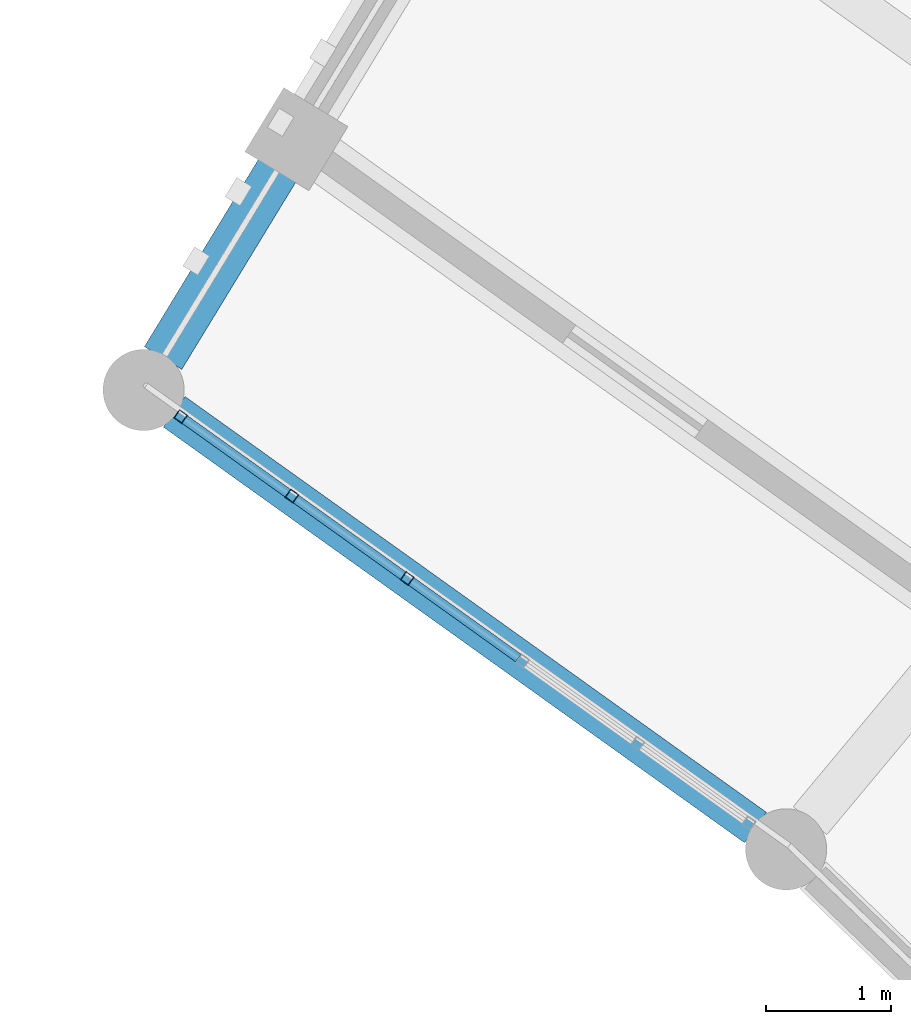
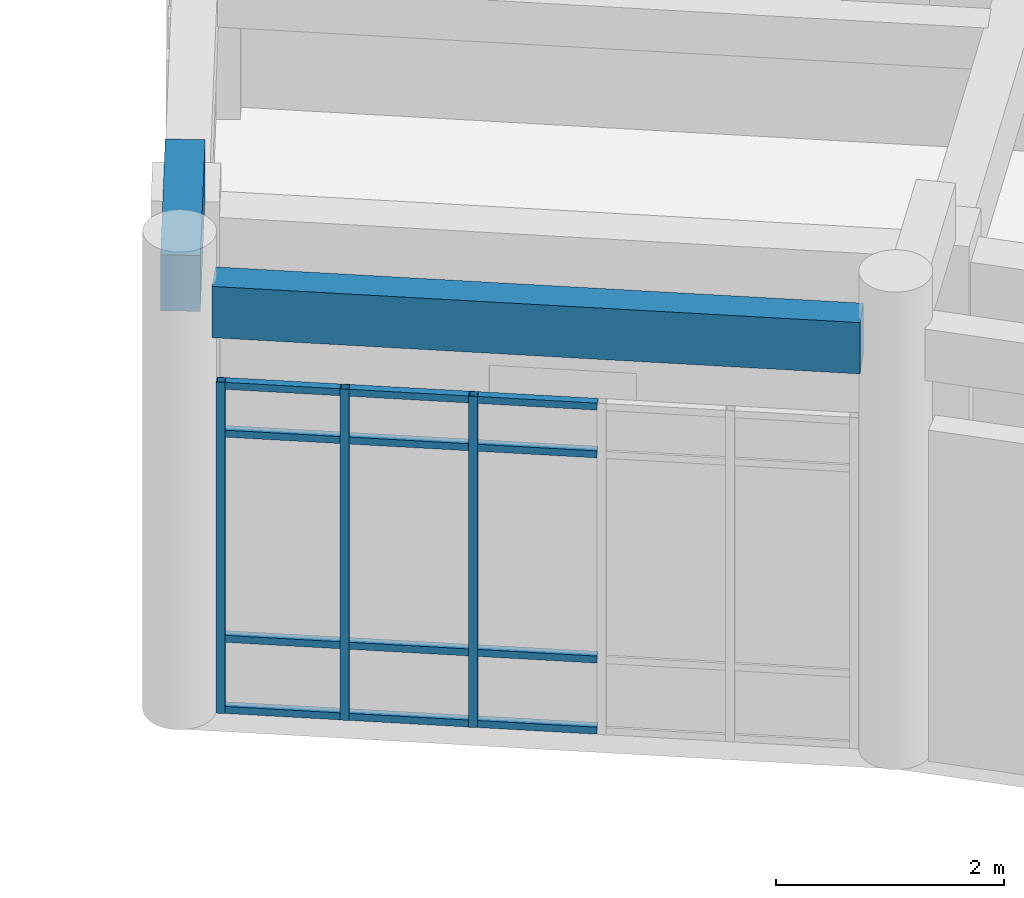
# One storey, part 75 of 159: 15 members, 2 beams, 1 element without a shape of its own.
"""IFC4 building model written with IfcOpenShell, lengths in metres."""

from ifc_helpers import new_model, si_unit, direction, frame, origin, origin_2d, place, context, subcontext, project, spatial, rectangle, hollow_rectangle, extrude, material, material_profile, profile_set, type_object, element, aggregate, save


model = new_model("IFC4")

# Units and contexts
model_context = context("Model", 3, precision=1e-05, world=origin(), true_north=direction((0.0, 1.0)))
body_context = subcontext(model_context, "Body", "Model", "MODEL_VIEW")
ifc_project = project(units=[si_unit("LENGTHUNIT", "METRE"), si_unit("AREAUNIT", "SQUARE_METRE"), si_unit("VOLUMEUNIT", "CUBIC_METRE"), si_unit("PLANEANGLEUNIT", "RADIAN"), si_unit("MASSUNIT", "GRAM", prefix="KILO")], contexts=[model_context])

# Site, building, storey
site_placement = place(None, origin())
site = spatial("IfcSite", under=ifc_project, at=site_placement, CompositionType="ELEMENT")
building_placement = place(site_placement, origin())
building = spatial("IfcBuilding", under=site, at=building_placement, Name="Celadon Cloister-Ring School", CompositionType="ELEMENT")
storey_placement = place(building_placement, frame((0.0, 0.0, 4.5)))
storey = spatial("IfcBuildingStorey", under=building, at=storey_placement, Name="L01", CompositionType="ELEMENT", Elevation=4.5)

# Beam
ifc_material_1 = material(Name="Concrete C35/45", Category="concrete")
ifc_material_profile_1 = material_profile(ifc_material_1, rectangle(XDim=0.35009765625, YDim=0.60009765625, at=origin_2d()), Name="RC350X600")
ifc_profile_set_1 = profile_set([ifc_material_profile_1], Name="Concrete C35/45")
beam_type_1 = type_object("IfcBeamType", Name="BT-02", PredefinedType="BEAM", material=ifc_profile_set_1)
beam_1_placement = place(storey_placement, frame((110.2490234375, 97.20703125, 4.35009765625), z_axis=(-0.520047301732, -0.854137461982, 0.0), x_axis=(0.854137461982, -0.520047301732, 0.0)))
element("IfcBeam", 1, at=beam_1_placement, inside=storey, type_object=beam_type_1, Name="Beam 0266", PredefinedType="BEAM", context=body_context, shape_type="SweptSolid", body=[
    extrude(rectangle(XDim=0.35009765625, YDim=0.60009765625, at=origin_2d()), origin(), (0.0, 0.0, 1.0), 1.77490234375),
])

# Curtain wall, members
ifc_material_2 = material(Name="Aluminium EN AW-6063 T6", Category="aluminium")
curtain_wall_type = type_object("IfcCurtainWallType", Name="CW-01", PredefinedType="USERDEFINED", material=ifc_material_2)
curtain_wall_placement = place(storey_placement, origin())
curtain_wall = element("IfcCurtainWall", 2, at=curtain_wall_placement, inside=storey, type_object=curtain_wall_type, Name="Curtain Wall 0043", ObjectType="CURTAIN WALL", PredefinedType="USERDEFINED")
ifc_material_3 = material(Name="Aluminium EN AW-6063 T6", Category="aluminium")
ifc_material_profile_2 = material_profile(ifc_material_3, hollow_rectangle(XDim=0.080078125, YDim=0.080078125, WallThickness=0.00390625, at=origin_2d()), Name="RHS80X80X4")
ifc_profile_set_2 = profile_set([ifc_material_profile_2], Name="Aluminium EN AW-6063 T6")
member_type_1 = type_object("IfcMemberType", Name="CM-03", PredefinedType="MULLION", material=ifc_profile_set_2)
member_1_placement = place(storey_placement, frame((111.27880859375, 93.92724609375, 0.0), z_axis=(0.0, 0.0, 1.0), x_axis=(-0.581555173434, -0.813506963862, 0.0)))
member_1 = element("IfcMember", 3, at=member_1_placement, type_object=member_type_1, Name="CW-01 mullion 4", PredefinedType="MULLION", context=body_context, shape_type="SweptSolid", body=[
    extrude(hollow_rectangle(XDim=0.080078125, YDim=0.080078125, WallThickness=0.00390625, at=origin_2d()), origin(), (0.0, 0.0, 1.0), 3.550048828125),
])
member_2_placement = place(storey_placement, frame((110.3564453125, 94.586669921875, 0.0), z_axis=(0.0, 0.0, 1.0), x_axis=(-0.581555173434, -0.813506963862, 0.0)))
member_2 = element("IfcMember", 4, at=member_2_placement, type_object=member_type_1, Name="CW-01 mullion 5", PredefinedType="MULLION", context=body_context, shape_type="SweptSolid", body=[
    extrude(hollow_rectangle(XDim=0.080078125, YDim=0.080078125, WallThickness=0.00390625, at=origin_2d()), origin(), (0.0, 0.0, 1.0), 3.550048828125),
])
member_3_placement = place(storey_placement, frame((109.466552734375, 95.22265625, 0.0), z_axis=(0.0, 0.0, 1.0), x_axis=(-0.581555173434, -0.813506963862, 0.0)))
member_3 = element("IfcMember", 5, at=member_3_placement, type_object=member_type_1, Name="CW-01 mullion 6", PredefinedType="MULLION", context=body_context, shape_type="SweptSolid", body=[
    extrude(hollow_rectangle(XDim=0.080078125, YDim=0.080078125, WallThickness=0.00390625, at=origin_2d()), origin(), (0.0, 0.0, 1.0), 3.550048828125),
])
ifc_material_4 = material(Name="Aluminium EN AW-6063 T6", Category="aluminium")
ifc_material_profile_3 = material_profile(ifc_material_4, hollow_rectangle(XDim=0.074951171875, YDim=0.074951171875, WallThickness=0.00390625, at=origin_2d()), Name="RHS75X75X4")
ifc_profile_set_3 = profile_set([ifc_material_profile_3], Name="Aluminium EN AW-6063 T6")
member_type_2 = type_object("IfcMemberType", Name="CTM-03", PredefinedType="USERDEFINED", material=ifc_profile_set_3)
member_4_placement = place(storey_placement, frame((112.168701171875, 93.291015625, 0.03759765625), z_axis=(-0.813467330106, 0.581610611019, 0.0), x_axis=(-0.581610611019, -0.813467330106, 0.0)))
member_4 = element("IfcMember", 6, at=member_4_placement, type_object=member_type_2, Name="CW-01 transom 3.1", ObjectType="TRANSOM", PredefinedType="USERDEFINED", context=body_context, shape_type="SweptSolid", body=[
    extrude(hollow_rectangle(XDim=0.074951171875, YDim=0.074951171875, WallThickness=0.00390625, at=origin_2d()), origin(), (0.0, 0.0, 1.0), 1.053955078125),
])
member_5_placement = place(storey_placement, frame((112.168701171875, 93.291015625, 0.800048828125), z_axis=(-0.813467330106, 0.581610611019, 0.0), x_axis=(-0.581610611019, -0.813467330106, 0.0)))
member_5 = element("IfcMember", 7, at=member_5_placement, type_object=member_type_2, Name="CW-01 transom 3.2", ObjectType="TRANSOM", PredefinedType="USERDEFINED", context=body_context, shape_type="SweptSolid", body=[
    extrude(hollow_rectangle(XDim=0.074951171875, YDim=0.074951171875, WallThickness=0.00390625, at=origin_2d()), origin(), (0.0, 0.0, 1.0), 1.053955078125),
])
member_6_placement = place(storey_placement, frame((112.168701171875, 93.291015625, 3.0), z_axis=(-0.813467330106, 0.581610611019, 0.0), x_axis=(-0.581610611019, -0.813467330106, 0.0)))
member_6 = element("IfcMember", 8, at=member_6_placement, type_object=member_type_2, Name="CW-01 transom 3.3", ObjectType="TRANSOM", PredefinedType="USERDEFINED", context=body_context, shape_type="SweptSolid", body=[
    extrude(hollow_rectangle(XDim=0.074951171875, YDim=0.074951171875, WallThickness=0.00390625, at=origin_2d()), origin(), (0.0, 0.0, 1.0), 1.053955078125),
])
member_7_placement = place(storey_placement, frame((112.168701171875, 93.291015625, 3.512451171875), z_axis=(-0.813467330106, 0.581610611019, 0.0), x_axis=(-0.581610611019, -0.813467330106, 0.0)))
member_7 = element("IfcMember", 9, at=member_7_placement, type_object=member_type_2, Name="CW-01 transom 3.4", ObjectType="TRANSOM", PredefinedType="USERDEFINED", context=body_context, shape_type="SweptSolid", body=[
    extrude(hollow_rectangle(XDim=0.074951171875, YDim=0.074951171875, WallThickness=0.00390625, at=origin_2d()), origin(), (0.0, 0.0, 1.0), 1.053955078125),
])
member_8_placement = place(storey_placement, frame((111.246337890625, 93.950439453125, 0.03759765625), z_axis=(-0.813576917175, 0.581457306979, 0.0), x_axis=(-0.581457306979, -0.813576917175, 0.0)))
member_8 = element("IfcMember", 10, at=member_8_placement, type_object=member_type_2, Name="CW-01 transom 4.1", ObjectType="TRANSOM", PredefinedType="USERDEFINED", context=body_context, shape_type="SweptSolid", body=[
    extrude(hollow_rectangle(XDim=0.074951171875, YDim=0.074951171875, WallThickness=0.00390625, at=origin_2d()), origin(), (0.0, 0.0, 1.0), 1.053955078125),
])
member_9_placement = place(storey_placement, frame((111.246337890625, 93.950439453125, 0.800048828125), z_axis=(-0.813576917175, 0.581457306979, 0.0), x_axis=(-0.581457306979, -0.813576917175, 0.0)))
member_9 = element("IfcMember", 11, at=member_9_placement, type_object=member_type_2, Name="CW-01 transom 4.2", ObjectType="TRANSOM", PredefinedType="USERDEFINED", context=body_context, shape_type="SweptSolid", body=[
    extrude(hollow_rectangle(XDim=0.074951171875, YDim=0.074951171875, WallThickness=0.00390625, at=origin_2d()), origin(), (0.0, 0.0, 1.0), 1.053955078125),
])
member_10_placement = place(storey_placement, frame((111.246337890625, 93.950439453125, 3.0), z_axis=(-0.813576917175, 0.581457306979, 0.0), x_axis=(-0.581457306979, -0.813576917175, 0.0)))
member_10 = element("IfcMember", 12, at=member_10_placement, type_object=member_type_2, Name="CW-01 transom 4.3", ObjectType="TRANSOM", PredefinedType="USERDEFINED", context=body_context, shape_type="SweptSolid", body=[
    extrude(hollow_rectangle(XDim=0.074951171875, YDim=0.074951171875, WallThickness=0.00390625, at=origin_2d()), origin(), (0.0, 0.0, 1.0), 1.053955078125),
])
member_11_placement = place(storey_placement, frame((111.246337890625, 93.950439453125, 3.512451171875), z_axis=(-0.813576917175, 0.581457306979, 0.0), x_axis=(-0.581457306979, -0.813576917175, 0.0)))
member_11 = element("IfcMember", 13, at=member_11_placement, type_object=member_type_2, Name="CW-01 transom 4.4", ObjectType="TRANSOM", PredefinedType="USERDEFINED", context=body_context, shape_type="SweptSolid", body=[
    extrude(hollow_rectangle(XDim=0.074951171875, YDim=0.074951171875, WallThickness=0.00390625, at=origin_2d()), origin(), (0.0, 0.0, 1.0), 1.053955078125),
])
member_12_placement = place(storey_placement, frame((110.323974609375, 94.60986328125, 0.03759765625), z_axis=(-0.813570755116, 0.581465928856, 0.0), x_axis=(-0.581465928856, -0.813570755116, 0.0)))
member_12 = element("IfcMember", 14, at=member_12_placement, type_object=member_type_2, Name="CW-01 transom 5.1", ObjectType="TRANSOM", PredefinedType="USERDEFINED", context=body_context, shape_type="SweptSolid", body=[
    extrude(hollow_rectangle(XDim=0.074951171875, YDim=0.074951171875, WallThickness=0.00390625, at=origin_2d()), origin(), (0.0, 0.0, 1.0), 1.013916015625),
])
member_13_placement = place(storey_placement, frame((110.323974609375, 94.60986328125, 0.800048828125), z_axis=(-0.813570755116, 0.581465928856, 0.0), x_axis=(-0.581465928856, -0.813570755116, 0.0)))
member_13 = element("IfcMember", 15, at=member_13_placement, type_object=member_type_2, Name="CW-01 transom 5.2", ObjectType="TRANSOM", PredefinedType="USERDEFINED", context=body_context, shape_type="SweptSolid", body=[
    extrude(hollow_rectangle(XDim=0.074951171875, YDim=0.074951171875, WallThickness=0.00390625, at=origin_2d()), origin(), (0.0, 0.0, 1.0), 1.013916015625),
])
member_14_placement = place(storey_placement, frame((110.323974609375, 94.60986328125, 3.0), z_axis=(-0.813570755116, 0.581465928856, 0.0), x_axis=(-0.581465928856, -0.813570755116, 0.0)))
member_14 = element("IfcMember", 16, at=member_14_placement, type_object=member_type_2, Name="CW-01 transom 5.3", ObjectType="TRANSOM", PredefinedType="USERDEFINED", context=body_context, shape_type="SweptSolid", body=[
    extrude(hollow_rectangle(XDim=0.074951171875, YDim=0.074951171875, WallThickness=0.00390625, at=origin_2d()), origin(), (0.0, 0.0, 1.0), 1.013916015625),
])
member_15_placement = place(storey_placement, frame((110.323974609375, 94.60986328125, 3.512451171875), z_axis=(-0.813570755116, 0.581465928856, 0.0), x_axis=(-0.581465928856, -0.813570755116, 0.0)))
member_15 = element("IfcMember", 17, at=member_15_placement, type_object=member_type_2, Name="CW-01 transom 5.4", ObjectType="TRANSOM", PredefinedType="USERDEFINED", context=body_context, shape_type="SweptSolid", body=[
    extrude(hollow_rectangle(XDim=0.074951171875, YDim=0.074951171875, WallThickness=0.00390625, at=origin_2d()), origin(), (0.0, 0.0, 1.0), 1.013916015625),
])
aggregate(curtain_wall, [member_1, member_2, member_3, member_4, member_5, member_6, member_7, member_8, member_9, member_10, member_11, member_12, member_13, member_14, member_15])

# Beam
ifc_material_5 = material(Name="Concrete C35/45", Category="concrete")
ifc_material_profile_4 = material_profile(ifc_material_5, rectangle(XDim=0.300048828125, YDim=0.550048828125, at=origin_2d()), Name="RC300X550")
ifc_profile_set_4 = profile_set([ifc_material_profile_4], Name="Concrete C35/45")
beam_type_2 = type_object("IfcBeamType", Name="SP-02", PredefinedType="SPANDREL", material=ifc_profile_set_4)
beam_2_placement = place(storey_placement, frame((114.06591796875, 91.93408203125, 4.375), z_axis=(-0.813390089267, 0.581718628447, 0.0), x_axis=(-0.581718628447, -0.813390089267, 0.0)))
element("IfcBeam", 18, at=beam_2_placement, inside=storey, type_object=beam_type_2, Name="Beam 0395", PredefinedType="SPANDREL", context=body_context, shape_type="SweptSolid", body=[
    extrude(rectangle(XDim=0.300048828125, YDim=0.550048828125, at=origin_2d()), origin(), (0.0, 0.0, 1.0), 5.718994140625),
])

save(model, "model.ifc")
